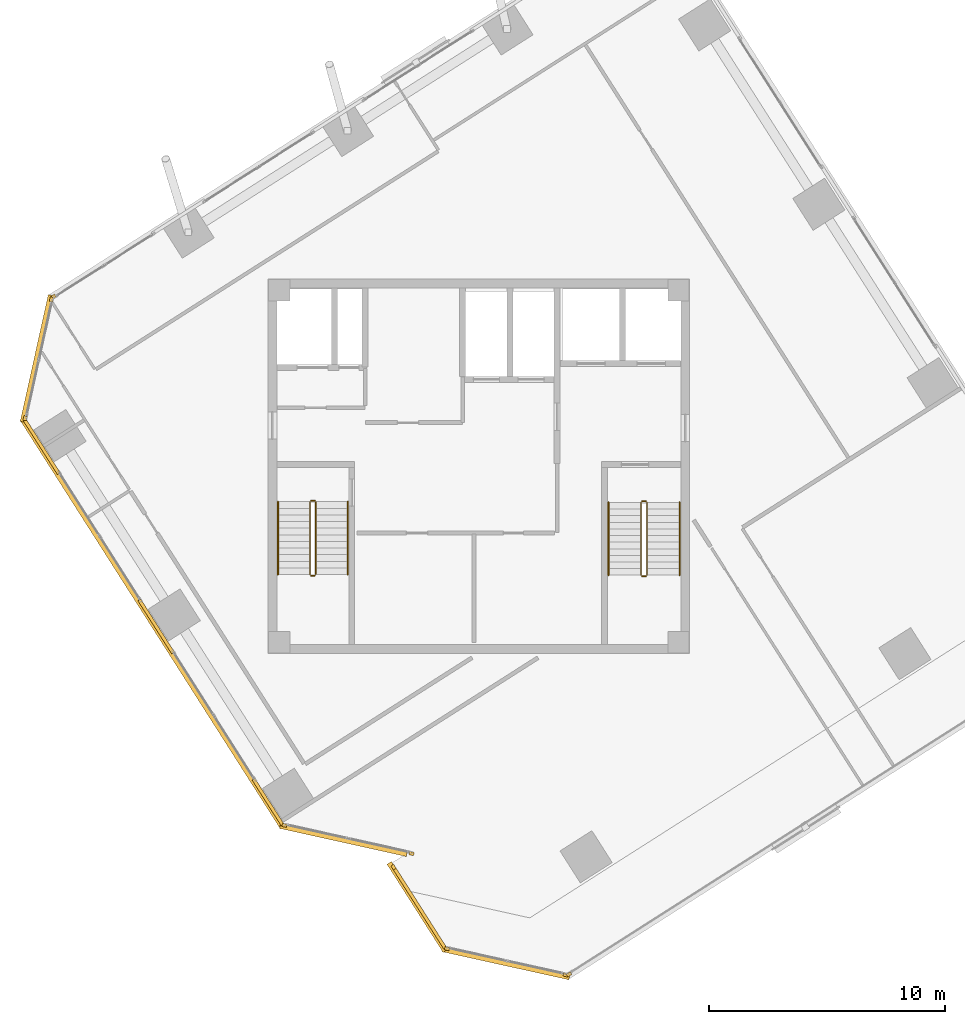
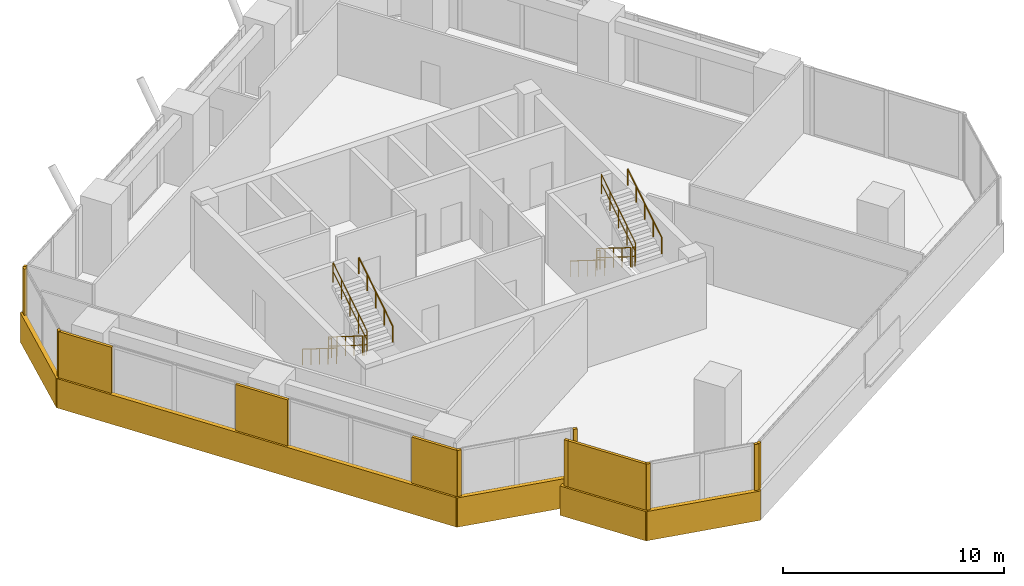
# One storey, part 12 of 14: 18 coverings, 12 railings.
"""IFC4 building model written with IfcOpenShell, lengths in metres."""

from ifc_helpers import new_model, si_unit, direction, frame, origin, origin_2d, place, context, subcontext, project, spatial, rectangle, circle, extrude, source, transform, mapped, material, layer, layer_set, type_object, element, save


model = new_model("IFC4")

# Units and contexts
model_context = context("Model", 3, precision=1e-05, world=origin(), true_north=direction((0.0, 1.0)))
body_context = subcontext(model_context, "Body", "Model", "MODEL_VIEW")
ifc_project = project(units=[si_unit("LENGTHUNIT", "METRE"), si_unit("AREAUNIT", "SQUARE_METRE"), si_unit("VOLUMEUNIT", "CUBIC_METRE"), si_unit("PLANEANGLEUNIT", "RADIAN"), si_unit("MASSUNIT", "GRAM", prefix="KILO")], contexts=[model_context])

# Site, building, storey
site_placement = place(None, origin())
site = spatial("IfcSite", under=ifc_project, at=site_placement, CompositionType="ELEMENT")
building_placement = place(site_placement, origin())
building = spatial("IfcBuilding", under=site, at=building_placement, Name="Torre Montelarca", CompositionType="ELEMENT")
storey_placement = place(building_placement, frame((0.0, 0.0, 315.60009765625)))
storey = spatial("IfcBuildingStorey", under=building, at=storey_placement, Name="L71", CompositionType="ELEMENT", Elevation=315.60009765625)

# Railings
ifc_material_1 = material(Name="Powder-coated steel ASTM A500 Grade C", Category="steel")
railing_type_1 = type_object("IfcRailingType", Name="RL-GUARD-1100", PredefinedType="BALUSTRADE", material=ifc_material_1)
railing_1_placement = place(storey_placement, frame((10.85009765625, 30.5, 0.1748046875)))
element("IfcRailing", 1, at=railing_1_placement, inside=storey, type_object=railing_type_1, Name="L71 ST1 stair guard 1", PredefinedType="BALUSTRADE", context=body_context, shape_type="SweptSolid", body=[
    extrude(circle(Radius=0.02392578125, at=origin_2d()), frame((0.0, 0.0, 1.076171875), z_axis=(0.0, -0.847998304005, 0.529998940003), x_axis=(1.0, 0.0, 0.0)), (0.0, 0.0, 1.0), 3.632080078125),
    extrude(circle(Radius=0.02099609375, at=origin_2d()), frame((0.0, 0.0, 0.572021484375), z_axis=(0.0, -0.847998304005, 0.529998940003), x_axis=(1.0, 0.0, 0.0)), (0.0, 0.0, 1.0), 3.632080078125),
    extrude(circle(Radius=0.02099609375, at=origin_2d()), origin(), (0.0, 0.0, 1.0), 1.052001953125),
    extrude(circle(Radius=0.02099609375, at=origin_2d()), frame((0.0, -0.77001953125, 0.481201171875)), (0.0, 0.0, 1.0), 1.052001953125),
    extrude(circle(Radius=0.02099609375, at=origin_2d()), frame((0.0, -1.5400390625, 0.96240234375)), (0.0, 0.0, 1.0), 1.052001953125),
    extrude(circle(Radius=0.02099609375, at=origin_2d()), frame((0.0, -2.31005859375, 1.44384765625)), (0.0, 0.0, 1.0), 1.052001953125),
    extrude(circle(Radius=0.02099609375, at=origin_2d()), frame((0.0, -3.080078125, 1.925048828125)), (0.0, 0.0, 1.0), 1.052001953125),
])
railing_2_placement = place(storey_placement, frame((10.89990234375, 27.3701171875, 2.099853515625)))
element("IfcRailing", 2, at=railing_2_placement, inside=storey, type_object=railing_type_1, Name="L71 ST1 stair guard 2", PredefinedType="BALUSTRADE", context=body_context, shape_type="SweptSolid", body=[
    extrude(circle(Radius=0.02392578125, at=origin_2d()), frame((0.0, 0.0, 1.076171875), z_axis=(1.0, 0.0, 0.0), x_axis=(0.0, 1.0, 0.0)), (0.0, 0.0, 1.0), 0.150146484375),
    extrude(circle(Radius=0.02099609375, at=origin_2d()), frame((0.0, 0.0, 0.572021484375), z_axis=(1.0, 0.0, 0.0), x_axis=(0.0, 1.0, 0.0)), (0.0, 0.0, 1.0), 0.150146484375),
    extrude(circle(Radius=0.02099609375, at=origin_2d()), origin(), (0.0, 0.0, 1.0), 1.052001953125),
    extrude(circle(Radius=0.02099609375, at=origin_2d()), frame((0.150146484375, 0.0, 0.0)), (0.0, 0.0, 1.0), 1.052001953125),
])
railing_3_placement = place(storey_placement, frame((11.10009765625, 27.419921875, 2.27490234375)))
element("IfcRailing", 3, at=railing_3_placement, inside=storey, type_object=railing_type_1, Name="L71 ST1 stair guard 3", PredefinedType="BALUSTRADE", context=body_context, shape_type="SweptSolid", body=[
    extrude(circle(Radius=0.02392578125, at=origin_2d()), frame((0.0, 0.0, 1.076171875), z_axis=(0.0, 0.847998304005, 0.529998940003), x_axis=(-1.0, 0.0, 0.0)), (0.0, 0.0, 1.0), 3.632080078125),
    extrude(circle(Radius=0.02099609375, at=origin_2d()), frame((0.0, 0.0, 0.572021484375), z_axis=(0.0, 0.847998304005, 0.529998940003), x_axis=(-1.0, 0.0, 0.0)), (0.0, 0.0, 1.0), 3.632080078125),
    extrude(circle(Radius=0.02099609375, at=origin_2d()), origin(), (0.0, 0.0, 1.0), 1.052001953125),
    extrude(circle(Radius=0.02099609375, at=origin_2d()), frame((0.0, 0.77001953125, 0.481201171875)), (0.0, 0.0, 1.0), 1.052001953125),
    extrude(circle(Radius=0.02099609375, at=origin_2d()), frame((0.0, 1.5400390625, 0.96240234375)), (0.0, 0.0, 1.0), 1.052001953125),
    extrude(circle(Radius=0.02099609375, at=origin_2d()), frame((0.0, 2.31005859375, 1.44384765625)), (0.0, 0.0, 1.0), 1.052001953125),
    extrude(circle(Radius=0.02099609375, at=origin_2d()), frame((0.0, 3.080078125, 1.925048828125)), (0.0, 0.0, 1.0), 1.052001953125),
])
railing_4_placement = place(storey_placement, frame((10.89990234375, 30.550048828125, 0.0)))
element("IfcRailing", 4, at=railing_4_placement, inside=storey, type_object=railing_type_1, Name="L71 ST1 stair guard 4", PredefinedType="BALUSTRADE", context=body_context, shape_type="SweptSolid", body=[
    extrude(circle(Radius=0.02392578125, at=origin_2d()), frame((0.0, 0.0, 1.076171875), z_axis=(1.0, 0.0, 0.0), x_axis=(0.0, 1.0, 0.0)), (0.0, 0.0, 1.0), 0.150146484375),
    extrude(circle(Radius=0.02099609375, at=origin_2d()), frame((0.0, 0.0, 0.572021484375), z_axis=(1.0, 0.0, 0.0), x_axis=(0.0, 1.0, 0.0)), (0.0, 0.0, 1.0), 0.150146484375),
    extrude(circle(Radius=0.02099609375, at=origin_2d()), origin(), (0.0, 0.0, 1.0), 1.052001953125),
    extrude(circle(Radius=0.02099609375, at=origin_2d()), frame((0.150146484375, 0.0, 0.0)), (0.0, 0.0, 1.0), 1.052001953125),
])
railing_5_placement = place(storey_placement, frame((24.8701171875, 30.469970703125, 0.1748046875)))
element("IfcRailing", 5, at=railing_5_placement, inside=storey, type_object=railing_type_1, Name="L71 ST2 stair guard 1", PredefinedType="BALUSTRADE", context=body_context, shape_type="SweptSolid", body=[
    extrude(circle(Radius=0.02392578125, at=origin_2d()), frame((0.0, 0.0, 1.076171875), z_axis=(0.0, -0.847998304005, 0.529998940003), x_axis=(1.0, 0.0, 0.0)), (0.0, 0.0, 1.0), 3.632080078125),
    extrude(circle(Radius=0.02099609375, at=origin_2d()), frame((0.0, 0.0, 0.572021484375), z_axis=(0.0, -0.847998304005, 0.529998940003), x_axis=(1.0, 0.0, 0.0)), (0.0, 0.0, 1.0), 3.632080078125),
    extrude(circle(Radius=0.02099609375, at=origin_2d()), origin(), (0.0, 0.0, 1.0), 1.052001953125),
    extrude(circle(Radius=0.02099609375, at=origin_2d()), frame((0.0, -0.77001953125, 0.481201171875)), (0.0, 0.0, 1.0), 1.052001953125),
    extrude(circle(Radius=0.02099609375, at=origin_2d()), frame((0.0, -1.5400390625, 0.96240234375)), (0.0, 0.0, 1.0), 1.052001953125),
    extrude(circle(Radius=0.02099609375, at=origin_2d()), frame((0.0, -2.31005859375, 1.44384765625)), (0.0, 0.0, 1.0), 1.052001953125),
    extrude(circle(Radius=0.02099609375, at=origin_2d()), frame((0.0, -3.080078125, 1.925048828125)), (0.0, 0.0, 1.0), 1.052001953125),
])
railing_6_placement = place(storey_placement, frame((24.919921875, 27.340087890625, 2.099853515625)))
element("IfcRailing", 6, at=railing_6_placement, inside=storey, type_object=railing_type_1, Name="L71 ST2 stair guard 2", PredefinedType="BALUSTRADE", context=body_context, shape_type="SweptSolid", body=[
    extrude(circle(Radius=0.02392578125, at=origin_2d()), frame((0.0, 0.0, 1.076171875), z_axis=(1.0, 0.0, 0.0), x_axis=(0.0, 1.0, 0.0)), (0.0, 0.0, 1.0), 0.150146484375),
    extrude(circle(Radius=0.02099609375, at=origin_2d()), frame((0.0, 0.0, 0.572021484375), z_axis=(1.0, 0.0, 0.0), x_axis=(0.0, 1.0, 0.0)), (0.0, 0.0, 1.0), 0.150146484375),
    extrude(circle(Radius=0.02099609375, at=origin_2d()), origin(), (0.0, 0.0, 1.0), 1.052001953125),
    extrude(circle(Radius=0.02099609375, at=origin_2d()), frame((0.150146484375, 0.0, 0.0)), (0.0, 0.0, 1.0), 1.052001953125),
])
railing_7_placement = place(storey_placement, frame((25.1201171875, 27.389892578125, 2.27490234375)))
element("IfcRailing", 7, at=railing_7_placement, inside=storey, type_object=railing_type_1, Name="L71 ST2 stair guard 3", PredefinedType="BALUSTRADE", context=body_context, shape_type="SweptSolid", body=[
    extrude(circle(Radius=0.02392578125, at=origin_2d()), frame((0.0, 0.0, 1.076171875), z_axis=(0.0, 0.847998304005, 0.529998940003), x_axis=(-1.0, 0.0, 0.0)), (0.0, 0.0, 1.0), 3.632080078125),
    extrude(circle(Radius=0.02099609375, at=origin_2d()), frame((0.0, 0.0, 0.572021484375), z_axis=(0.0, 0.847998304005, 0.529998940003), x_axis=(-1.0, 0.0, 0.0)), (0.0, 0.0, 1.0), 3.632080078125),
    extrude(circle(Radius=0.02099609375, at=origin_2d()), origin(), (0.0, 0.0, 1.0), 1.052001953125),
    extrude(circle(Radius=0.02099609375, at=origin_2d()), frame((0.0, 0.77001953125, 0.481201171875)), (0.0, 0.0, 1.0), 1.052001953125),
    extrude(circle(Radius=0.02099609375, at=origin_2d()), frame((0.0, 1.5400390625, 0.96240234375)), (0.0, 0.0, 1.0), 1.052001953125),
    extrude(circle(Radius=0.02099609375, at=origin_2d()), frame((0.0, 2.31005859375, 1.44384765625)), (0.0, 0.0, 1.0), 1.052001953125),
    extrude(circle(Radius=0.02099609375, at=origin_2d()), frame((0.0, 3.080078125, 1.925048828125)), (0.0, 0.0, 1.0), 1.052001953125),
])
railing_8_placement = place(storey_placement, frame((24.919921875, 30.52001953125, 0.0)))
element("IfcRailing", 8, at=railing_8_placement, inside=storey, type_object=railing_type_1, Name="L71 ST2 stair guard 4", PredefinedType="BALUSTRADE", context=body_context, shape_type="SweptSolid", body=[
    extrude(circle(Radius=0.02392578125, at=origin_2d()), frame((0.0, 0.0, 1.076171875), z_axis=(1.0, 0.0, 0.0), x_axis=(0.0, 1.0, 0.0)), (0.0, 0.0, 1.0), 0.150146484375),
    extrude(circle(Radius=0.02099609375, at=origin_2d()), frame((0.0, 0.0, 0.572021484375), z_axis=(1.0, 0.0, 0.0), x_axis=(0.0, 1.0, 0.0)), (0.0, 0.0, 1.0), 0.150146484375),
    extrude(circle(Radius=0.02099609375, at=origin_2d()), origin(), (0.0, 0.0, 1.0), 1.052001953125),
    extrude(circle(Radius=0.02099609375, at=origin_2d()), frame((0.150146484375, 0.0, 0.0)), (0.0, 0.0, 1.0), 1.052001953125),
])
ifc_material_2 = material(Name="Brushed stainless steel AISI 316", Category="steel")
railing_type_2 = type_object("IfcRailingType", Name="RL-HANDRAIL-900", PredefinedType="HANDRAIL", material=ifc_material_2)
railing_9_placement = place(storey_placement, frame((9.5, 30.5, 0.1748046875)))
element("IfcRailing", 9, at=railing_9_placement, inside=storey, type_object=railing_type_2, Name="L71 ST1 stair handrail 1", PredefinedType="HANDRAIL", context=body_context, shape_type="SweptSolid", body=[
    extrude(circle(Radius=0.02392578125, at=origin_2d()), frame((0.0, 0.0, 0.8759765625), z_axis=(0.0, -0.847998304005, 0.529998940003), x_axis=(1.0, 0.0, 0.0)), (0.0, 0.0, 1.0), 3.632080078125),
    extrude(circle(Radius=0.02099609375, at=origin_2d()), origin(), (0.0, 0.0, 1.0), 0.851806640625),
    extrude(circle(Radius=0.02099609375, at=origin_2d()), frame((0.0, -0.77001953125, 0.481201171875)), (0.0, 0.0, 1.0), 0.851806640625),
    extrude(circle(Radius=0.02099609375, at=origin_2d()), frame((0.0, -1.5400390625, 0.96240234375)), (0.0, 0.0, 1.0), 0.851806640625),
    extrude(circle(Radius=0.02099609375, at=origin_2d()), frame((0.0, -2.31005859375, 1.44384765625)), (0.0, 0.0, 1.0), 0.851806640625),
    extrude(circle(Radius=0.02099609375, at=origin_2d()), frame((0.0, -3.080078125, 1.925048828125)), (0.0, 0.0, 1.0), 0.851806640625),
])
railing_10_placement = place(storey_placement, frame((12.449951171875, 27.419921875, 2.27490234375)))
element("IfcRailing", 10, at=railing_10_placement, inside=storey, type_object=railing_type_2, Name="L71 ST1 stair handrail 2", PredefinedType="HANDRAIL", context=body_context, shape_type="SweptSolid", body=[
    extrude(circle(Radius=0.02392578125, at=origin_2d()), frame((0.0, 0.0, 0.8759765625), z_axis=(0.0, 0.847998304005, 0.529998940003), x_axis=(-1.0, 0.0, 0.0)), (0.0, 0.0, 1.0), 3.632080078125),
    extrude(circle(Radius=0.02099609375, at=origin_2d()), origin(), (0.0, 0.0, 1.0), 0.851806640625),
    extrude(circle(Radius=0.02099609375, at=origin_2d()), frame((0.0, 0.77001953125, 0.481201171875)), (0.0, 0.0, 1.0), 0.851806640625),
    extrude(circle(Radius=0.02099609375, at=origin_2d()), frame((0.0, 1.5400390625, 0.96240234375)), (0.0, 0.0, 1.0), 0.851806640625),
    extrude(circle(Radius=0.02099609375, at=origin_2d()), frame((0.0, 2.31005859375, 1.44384765625)), (0.0, 0.0, 1.0), 0.851806640625),
    extrude(circle(Radius=0.02099609375, at=origin_2d()), frame((0.0, 3.080078125, 1.925048828125)), (0.0, 0.0, 1.0), 0.851806640625),
])
railing_11_placement = place(storey_placement, frame((23.489990234375, 30.469970703125, 0.1748046875)))
element("IfcRailing", 11, at=railing_11_placement, inside=storey, type_object=railing_type_2, Name="L71 ST2 stair handrail 1", PredefinedType="HANDRAIL", context=body_context, shape_type="SweptSolid", body=[
    extrude(circle(Radius=0.02392578125, at=origin_2d()), frame((0.0, 0.0, 0.8759765625), z_axis=(0.0, -0.847998304005, 0.529998940003), x_axis=(1.0, 0.0, 0.0)), (0.0, 0.0, 1.0), 3.632080078125),
    extrude(circle(Radius=0.02099609375, at=origin_2d()), origin(), (0.0, 0.0, 1.0), 0.851806640625),
    extrude(circle(Radius=0.02099609375, at=origin_2d()), frame((0.0, -0.77001953125, 0.481201171875)), (0.0, 0.0, 1.0), 0.851806640625),
    extrude(circle(Radius=0.02099609375, at=origin_2d()), frame((0.0, -1.5400390625, 0.96240234375)), (0.0, 0.0, 1.0), 0.851806640625),
    extrude(circle(Radius=0.02099609375, at=origin_2d()), frame((0.0, -2.31005859375, 1.44384765625)), (0.0, 0.0, 1.0), 0.851806640625),
    extrude(circle(Radius=0.02099609375, at=origin_2d()), frame((0.0, -3.080078125, 1.925048828125)), (0.0, 0.0, 1.0), 0.851806640625),
])
railing_12_placement = place(storey_placement, frame((26.5, 27.389892578125, 2.27490234375)))
element("IfcRailing", 12, at=railing_12_placement, inside=storey, type_object=railing_type_2, Name="L71 ST2 stair handrail 2", PredefinedType="HANDRAIL", context=body_context, shape_type="SweptSolid", body=[
    extrude(circle(Radius=0.02392578125, at=origin_2d()), frame((0.0, 0.0, 0.8759765625), z_axis=(0.0, 0.847998304005, 0.529998940003), x_axis=(-1.0, 0.0, 0.0)), (0.0, 0.0, 1.0), 3.632080078125),
    extrude(circle(Radius=0.02099609375, at=origin_2d()), origin(), (0.0, 0.0, 1.0), 0.851806640625),
    extrude(circle(Radius=0.02099609375, at=origin_2d()), frame((0.0, 0.77001953125, 0.481201171875)), (0.0, 0.0, 1.0), 0.851806640625),
    extrude(circle(Radius=0.02099609375, at=origin_2d()), frame((0.0, 1.5400390625, 0.96240234375)), (0.0, 0.0, 1.0), 0.851806640625),
    extrude(circle(Radius=0.02099609375, at=origin_2d()), frame((0.0, 2.31005859375, 1.44384765625)), (0.0, 0.0, 1.0), 0.851806640625),
    extrude(circle(Radius=0.02099609375, at=origin_2d()), frame((0.0, 3.080078125, 1.925048828125)), (0.0, 0.0, 1.0), 0.851806640625),
])

# Coverings
ifc_material_3 = material(Name="Bush-hammered warm white precast concrete C45/55", Category="concrete")
ifc_layer = layer(ifc_material_3, 0.139892578125, Name="Bush-hammered warm white precast concrete C45/55", Category="concrete")
ifc_layer_set = layer_set([ifc_layer], Name="Bush-hammered warm white precast concrete C45/55")
covering_type = type_object("IfcCoveringType", Name="COV-TRAY-CLAD", PredefinedType="CLADDING", material=ifc_layer_set)
shared_shape_1 = source(origin(), body_context, "Body", "SweptSolid", [
    extrude(rectangle(XDim=0.199951171875, YDim=0.139892578125, at=origin_2d()), origin(), (0.0, 0.0, 1.0), 3.719970703125),
])
for number, where, z_axis, x_axis, name in (
    (13, (9.775390625, 16.802001953125, 0.0), (0.0, 0.0, 1.0), (0.976296762631, -0.216436206021, 0.0), "L71 Architectural Column Pier Cladding E02-1"),
    (14, (15.154541015625, 15.609375, 0.0), (0.0, 0.0, 1.0), (0.976296762631, -0.216436206021, 0.0), "L71 Architectural Column Pier Cladding E02-2"),
    (15, (14.3935546875, 15.032470703125, 0.0), (0.0, 0.0, 1.0), (0.537312856242, -0.843383005826, 0.0), "L71 Architectural Column Pier Cladding E04-1"),
    (16, (16.65771484375, 11.582275390625, 0.0), (0.0, 0.0, 1.0), (0.976299029092, -0.216425982253, 0.0), "L71 Architectural Column Pier Cladding E05-1"),
    (17, (21.677978515625, 10.469482421875, 0.0), (0.0, 0.0, 1.0), (0.976299029092, -0.216425982253, 0.0), "L71 Architectural Column Pier Cladding E05-2"),
    (18, (21.821044921875, 10.494384765625, 0.0), (0.0, 0.0, 1.0), (0.843390508047, 0.537301080342, 0.0), "L71 Architectural Column Pier Cladding E06-1"),
    (19, (-0.0087890625, 39.17724609375, 0.0), (0.0, 0.0, 1.0), (-0.843390508047, -0.537301080342, 0.0), "L71 Architectural Column Pier Cladding E10-5"),
    (20, (-0.09228515625, 39.058349609375, 0.0), (0.0, 0.0, 1.0), (-0.21644813372, -0.976294118291, 0.0), "L71 Architectural Column Pier Cladding E11-1"),
    (21, (-1.205078125, 34.037841796875, 0.0), (0.0, 0.0, 1.0), (-0.21644813372, -0.976294118291, 0.0), "L71 Architectural Column Pier Cladding E11-2"),
):
    element("IfcCovering", number, at=place(storey_placement, frame(where, z_axis=z_axis, x_axis=x_axis)), inside=storey, type_object=covering_type, Name=name, PredefinedType="CLADDING", context=body_context, shape_type="MappedRepresentation", body=[
        mapped(shared_shape_1, transform((0.0, 0.0, 0.0), scale=1.0)),
    ])
shared_shape_2 = source(origin(), body_context, "Body", "SweptSolid", [
    extrude(rectangle(XDim=2.659912109375, YDim=0.139892578125, at=origin_2d()), origin(), (0.0, 0.0, 1.0), 3.719970703125),
])
covering_1_placement = place(storey_placement, frame((4.345703125, 25.221435546875, 0.0), z_axis=(0.0, 0.0, 1.0), x_axis=(0.537301080342, -0.843390508047, 0.0)))
element("IfcCovering", 22, at=covering_1_placement, inside=storey, type_object=covering_type, Name="L71 Architectural Column Pier Cladding E01-2", PredefinedType="CLADDING", context=body_context, shape_type="MappedRepresentation", body=[
    mapped(shared_shape_2, transform((0.0, 0.0, 0.0), scale=1.0)),
])
shared_shape_3 = source(origin(), body_context, "Body", "SweptSolid", [
    extrude(rectangle(XDim=5.493896484375, YDim=0.219970703125, at=origin_2d()), origin(), (0.0, 0.0, 1.0), 1.6201171875),
])
for number, where, z_axis, x_axis, name in (
    (23, (12.2724609375, 16.186767578125, -0.4501953125), (0.0, 0.0, 1.0), (0.97629751813, -0.216432798101, 0.0), "L71 Architectural White Spandrel Tray Band TRYBOT-02"),
    (24, (-0.707275390625, 36.56103515625, -0.4501953125), (0.0, 0.0, 1.0), (-0.216449837674, -0.976293740516, 0.0), "L71 Architectural White Spandrel Tray Band TRYBOT-11"),
):
    element("IfcCovering", number, at=place(storey_placement, frame(where, z_axis=z_axis, x_axis=x_axis)), inside=storey, type_object=covering_type, Name=name, PredefinedType="CLADDING", context=body_context, shape_type="MappedRepresentation", body=[
        mapped(shared_shape_3, transform((0.0, 0.0, 0.0), scale=1.0)),
    ])
shared_shape_4 = source(origin(), body_context, "Body", "SweptSolid", [
    extrude(rectangle(XDim=2.714111328125, YDim=0.139892578125, at=origin_2d()), origin(), (0.0, 0.0, 1.0), 3.719970703125),
])
covering_2_placement = place(storey_placement, frame((-0.504638671875, 32.834716796875, 0.0), z_axis=(0.0, 0.0, 1.0), x_axis=(0.537301080342, -0.843390508047, 0.0)))
element("IfcCovering", 25, at=covering_2_placement, inside=storey, type_object=covering_type, Name="L71 Architectural Column Pier Cladding E01-1", PredefinedType="CLADDING", context=body_context, shape_type="MappedRepresentation", body=[
    mapped(shared_shape_4, transform((0.0, 0.0, 0.0), scale=1.0)),
])
shared_shape_5 = source(origin(), body_context, "Body", "SweptSolid", [
    extrude(rectangle(XDim=2.314208984375, YDim=0.139892578125, at=origin_2d()), origin(), (0.0, 0.0, 1.0), 3.719970703125),
])
covering_3_placement = place(storey_placement, frame((9.08837890625, 17.776611328125, 0.0), z_axis=(0.0, 0.0, 1.0), x_axis=(0.537301080342, -0.843390508047, 0.0)))
element("IfcCovering", 26, at=covering_3_placement, inside=storey, type_object=covering_type, Name="L71 Architectural Column Pier Cladding E01-3", PredefinedType="CLADDING", context=body_context, shape_type="MappedRepresentation", body=[
    mapped(shared_shape_5, transform((0.0, 0.0, 0.0), scale=1.0)),
])
shared_shape_6 = source(origin(), body_context, "Body", "SweptSolid", [
    extrude(rectangle(XDim=4.09228515625, YDim=0.139892578125, at=origin_2d()), origin(), (0.0, 0.0, 1.0), 3.719970703125),
])
covering_4_placement = place(storey_placement, frame((15.492919921875, 13.306884765625, 0.0), z_axis=(0.0, 0.0, 1.0), x_axis=(0.537312856242, -0.843383005826, 0.0)))
element("IfcCovering", 27, at=covering_4_placement, inside=storey, type_object=covering_type, Name="L71 Architectural Column Pier Cladding E04-2", PredefinedType="CLADDING", context=body_context, shape_type="MappedRepresentation", body=[
    mapped(shared_shape_6, transform((0.0, 0.0, 0.0), scale=1.0)),
])
shared_shape_7 = source(origin(), body_context, "Body", "SweptSolid", [
    extrude(rectangle(XDim=20.52001953125, YDim=0.219970703125, at=origin_2d()), origin(), (0.0, 0.0, 1.0), 1.6201171875),
])
covering_5_placement = place(storey_placement, frame((4.1875, 25.35791015625, -0.4501953125), z_axis=(0.0, 0.0, 1.0), x_axis=(0.53729813635, -0.843392383576, 0.0)))
element("IfcCovering", 28, at=covering_5_placement, inside=storey, type_object=covering_type, Name="L71 Architectural White Spandrel Tray Band TRYBOT-01", PredefinedType="CLADDING", context=body_context, shape_type="MappedRepresentation", body=[
    mapped(shared_shape_7, transform((0.0, 0.0, 0.0), scale=1.0)),
])
shared_shape_8 = source(origin(), body_context, "Body", "SweptSolid", [
    extrude(rectangle(XDim=4.419921875, YDim=0.219970703125, at=origin_2d()), origin(), (0.0, 0.0, 1.0), 1.6201171875),
])
covering_6_placement = place(storey_placement, frame((15.39501953125, 13.348876953125, -0.4501953125), z_axis=(0.0, 0.0, 1.0), x_axis=(0.537299608347, -0.843391445813, 0.0)))
element("IfcCovering", 29, at=covering_6_placement, inside=storey, type_object=covering_type, Name="L71 Architectural White Spandrel Tray Band TRYBOT-04", PredefinedType="CLADDING", context=body_context, shape_type="MappedRepresentation", body=[
    mapped(shared_shape_8, transform((0.0, 0.0, 0.0), scale=1.0)),
])
shared_shape_9 = source(origin(), body_context, "Body", "SweptSolid", [
    extrude(rectangle(XDim=5.494140625, YDim=0.219970703125, at=origin_2d()), origin(), (0.0, 0.0, 1.0), 1.6201171875),
])
covering_7_placement = place(storey_placement, frame((19.15478515625, 10.96728515625, -0.4501953125), z_axis=(0.0, 0.0, 1.0), x_axis=(0.976298651356, -0.216427686216, 0.0)))
element("IfcCovering", 30, at=covering_7_placement, inside=storey, type_object=covering_type, Name="L71 Architectural White Spandrel Tray Band TRYBOT-05", PredefinedType="CLADDING", context=body_context, shape_type="MappedRepresentation", body=[
    mapped(shared_shape_9, transform((0.0, 0.0, 0.0), scale=1.0)),
])

save(model, "model.ifc")
